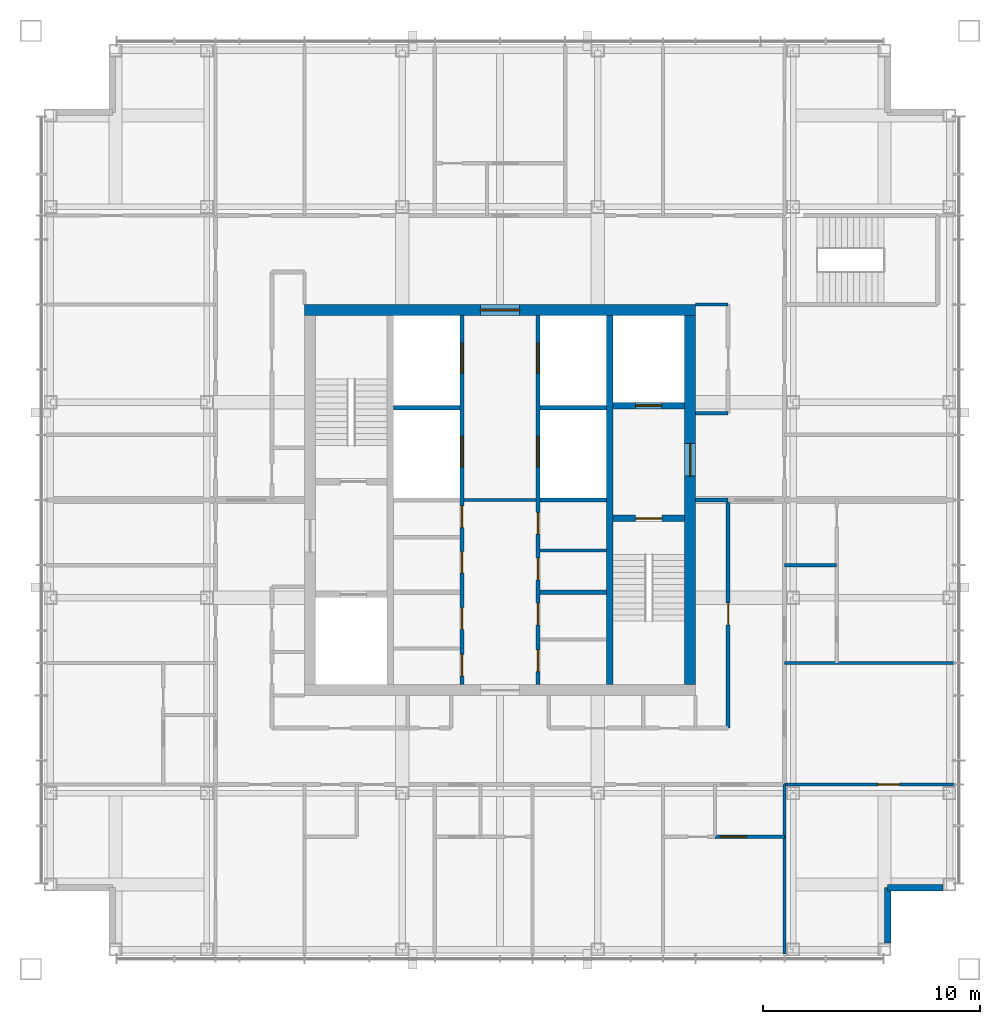
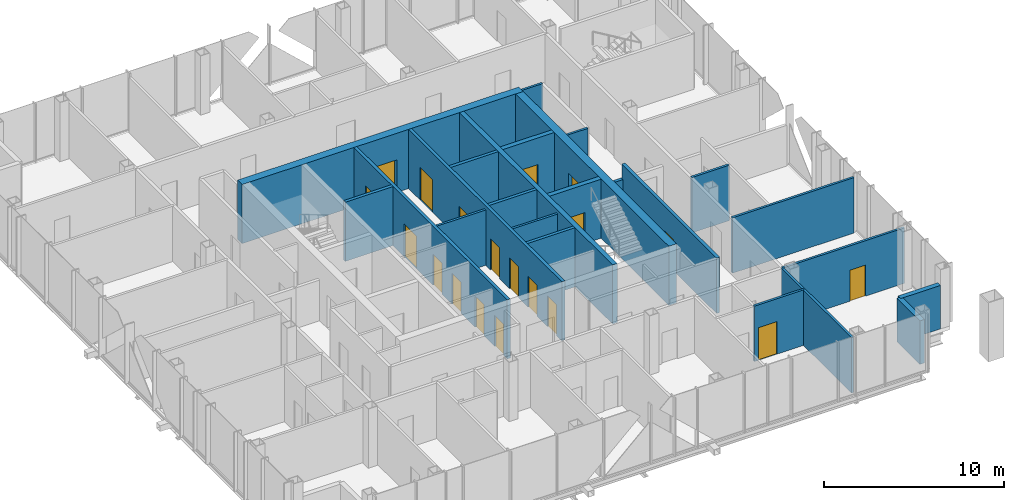
# One storey, part 9 of 12: 24 walls, 19 doors, 19 openings.
"""IFC4 building model written with IfcOpenShell, lengths in metres."""

from ifc_helpers import new_model, si_unit, direction, frame, frame_2d, origin, place, context, subcontext, project, spatial, rectangle, extrude, material, layer, layer_set, type_object, element, fill, save


model = new_model("IFC4")

# Units and contexts
model_context = context("Model", 3, precision=1e-05, world=origin(), true_north=direction((0.0, 1.0)))
body_context = subcontext(model_context, "Body", "Model", "MODEL_VIEW")
ifc_project = project(units=[si_unit("LENGTHUNIT", "METRE"), si_unit("AREAUNIT", "SQUARE_METRE"), si_unit("VOLUMEUNIT", "CUBIC_METRE"), si_unit("PLANEANGLEUNIT", "RADIAN"), si_unit("MASSUNIT", "GRAM", prefix="KILO")], contexts=[model_context])

# Site, building, storey
site_placement = place(None, origin())
site = spatial("IfcSite", under=ifc_project, at=site_placement, CompositionType="ELEMENT")
building_placement = place(site_placement, origin())
building = spatial("IfcBuilding", under=site, at=building_placement, Name="Malebo Sky Hospital", CompositionType="ELEMENT")
storey_placement = place(building_placement, frame((0.0, 0.0, 266.0)))
storey = spatial("IfcBuildingStorey", under=building, at=storey_placement, Name="L64", CompositionType="ELEMENT", Elevation=266.0)

# Wall, openings, doors
ifc_material_1 = material(Name="Concrete C80/95", Category="concrete")
ifc_layer_1 = layer(ifc_material_1, 0.199951171875)
ifc_layer_set_1 = layer_set([ifc_layer_1], Name="CORE INNER WALL 200")
wall_type_1 = type_object("IfcWallType", Name="CORE INNER WALL 200", PredefinedType="SHEAR", material=ifc_layer_set_1)
wall_1_placement = place(storey_placement, frame((58.25, 53.5, 0.0), z_axis=(0.0, 0.0, 1.0), x_axis=(0.0, 1.0, 0.0)))
wall_1 = element("IfcWall", 1, at=wall_1_placement, inside=storey, type_object=wall_type_1, Name="Core wall LW L64", PredefinedType="SHEAR", context=body_context, shape_type="SweptSolid", body=[
    extrude(rectangle(XDim=17.0, YDim=0.199951171875, at=frame_2d((8.5, 0.0))), origin(), (0.0, 0.0, 1.0), 4.0),
])
opening_1_placement = place(wall_1_placement, frame((0.392578125, 0.0, 0.0)))
opening_1 = element("IfcOpeningElement", 2, at=opening_1_placement, cuts=wall_1, Name="Opening D17", PredefinedType="OPENING", context=body_context, shape_type="SweptSolid", body=[
    extrude(rectangle(XDim=1.0, YDim=2.10009765625, at=frame_2d((0.5, 1.050048828125))), frame((0.0, 0.10986328125, 0.0), z_axis=(0.0, -1.0, 0.0), x_axis=(1.0, 0.0, 0.0)), (0.0, 0.0, 1.0), 0.219970703125),
])
opening_2_placement = place(wall_1_placement, frame((2.54248046875, 0.0, 0.0)))
opening_2 = element("IfcOpeningElement", 3, at=opening_2_placement, cuts=wall_1, Name="Opening D17", PredefinedType="OPENING", context=body_context, shape_type="SweptSolid", body=[
    extrude(rectangle(XDim=1.0, YDim=2.10009765625, at=frame_2d((0.5, 1.050048828125))), frame((0.0, 0.10986328125, 0.0), z_axis=(0.0, -1.0, 0.0), x_axis=(1.0, 0.0, 0.0)), (0.0, 0.0, 1.0), 0.219970703125),
])
opening_3_placement = place(wall_1_placement, frame((5.12744140625, 0.0, 0.0)))
opening_3 = element("IfcOpeningElement", 4, at=opening_3_placement, cuts=wall_1, Name="Opening D17", PredefinedType="OPENING", context=body_context, shape_type="SweptSolid", body=[
    extrude(rectangle(XDim=1.0, YDim=2.10009765625, at=frame_2d((0.5, 1.050048828125))), frame((0.0, 0.10986328125, 0.0), z_axis=(0.0, -1.0, 0.0), x_axis=(1.0, 0.0, 0.0)), (0.0, 0.0, 1.0), 0.219970703125),
])
opening_4_placement = place(wall_1_placement, frame((7.2275390625, 0.0, 0.0)))
opening_4 = element("IfcOpeningElement", 5, at=opening_4_placement, cuts=wall_1, Name="Opening D17", PredefinedType="OPENING", context=body_context, shape_type="SweptSolid", body=[
    extrude(rectangle(XDim=1.0, YDim=2.10009765625, at=frame_2d((0.5, 1.050048828125))), frame((0.0, 0.10986328125, 0.0), z_axis=(0.0, -1.0, 0.0), x_axis=(1.0, 0.0, 0.0)), (0.0, 0.0, 1.0), 0.219970703125),
])
opening_5_placement = place(wall_1_placement, frame((10.02490234375, 0.0, 0.0)))
opening_5 = element("IfcOpeningElement", 6, at=opening_5_placement, cuts=wall_1, Name="Opening LD1", PredefinedType="OPENING", context=body_context, shape_type="SweptSolid", body=[
    extrude(rectangle(XDim=1.39990234375, YDim=2.199951171875, at=frame_2d((0.699951171875, 1.10009765625))), frame((0.0, 0.10986328125, 0.0), z_axis=(0.0, -1.0, 0.0), x_axis=(1.0, 0.0, 0.0)), (0.0, 0.0, 1.0), 0.219970703125),
])
opening_6_placement = place(wall_1_placement, frame((14.324951171875, 0.0, 0.0)))
opening_6 = element("IfcOpeningElement", 7, at=opening_6_placement, cuts=wall_1, Name="Opening LD1", PredefinedType="OPENING", context=body_context, shape_type="SweptSolid", body=[
    extrude(rectangle(XDim=1.39990234375, YDim=2.199951171875, at=frame_2d((0.699951171875, 1.10009765625))), frame((0.0, 0.10986328125, 0.0), z_axis=(0.0, -1.0, 0.0), x_axis=(1.0, 0.0, 0.0)), (0.0, 0.0, 1.0), 0.219970703125),
])
ifc_material_2 = material(Name="Hardwood-faced door leaf in steel frame", Category="steel")
door_type_1 = type_object("IfcDoorType", Name="FIRE DOOR 1000", OperationType="SINGLE_SWING_LEFT", PredefinedType="DOOR", material=ifc_material_2)
door_1_placement = place(opening_1_placement, origin())
door_1 = element("IfcDoor", 8, at=door_1_placement, inside=storey, type_object=door_type_1, Name="General store door", OperationType="SINGLE_SWING_RIGHT", OverallHeight=2.10009765625, OverallWidth=1.0, PredefinedType="DOOR", context=body_context, shape_type="SweptSolid", body=[
    extrude(rectangle(XDim=1.0, YDim=2.10009765625, at=frame_2d((0.5, 1.050048828125))), frame((0.0, 0.02490234375, 0.0), z_axis=(0.0, -1.0, 0.0), x_axis=(1.0, 0.0, 0.0)), (0.0, 0.0, 1.0), 0.050048828125),
])
fill(opening_1, door_1)
door_2_placement = place(opening_2_placement, origin())
door_2 = element("IfcDoor", 9, at=door_2_placement, inside=storey, type_object=door_type_1, Name="Records store door", OperationType="SINGLE_SWING_RIGHT", OverallHeight=2.10009765625, OverallWidth=1.0, PredefinedType="DOOR", context=body_context, shape_type="SweptSolid", body=[
    extrude(rectangle(XDim=1.0, YDim=2.10009765625, at=frame_2d((0.5, 1.050048828125))), frame((0.0, 0.02490234375, 0.0), z_axis=(0.0, -1.0, 0.0), x_axis=(1.0, 0.0, 0.0)), (0.0, 0.0, 1.0), 0.050048828125),
])
fill(opening_2, door_2)
door_3_placement = place(opening_3_placement, origin())
door_3 = element("IfcDoor", 10, at=door_3_placement, inside=storey, type_object=door_type_1, Name="Equipment store door", OperationType="SINGLE_SWING_RIGHT", OverallHeight=2.10009765625, OverallWidth=1.0, PredefinedType="DOOR", context=body_context, shape_type="SweptSolid", body=[
    extrude(rectangle(XDim=1.0, YDim=2.10009765625, at=frame_2d((0.5, 1.050048828125))), frame((0.0, 0.02490234375, 0.0), z_axis=(0.0, -1.0, 0.0), x_axis=(1.0, 0.0, 0.0)), (0.0, 0.0, 1.0), 0.050048828125),
])
fill(opening_3, door_3)
door_4_placement = place(opening_4_placement, origin())
door_4 = element("IfcDoor", 11, at=door_4_placement, inside=storey, type_object=door_type_1, Name="Linen store door", OperationType="SINGLE_SWING_RIGHT", OverallHeight=2.10009765625, OverallWidth=1.0, PredefinedType="DOOR", context=body_context, shape_type="SweptSolid", body=[
    extrude(rectangle(XDim=1.0, YDim=2.10009765625, at=frame_2d((0.5, 1.050048828125))), frame((0.0, 0.02490234375, 0.0), z_axis=(0.0, -1.0, 0.0), x_axis=(1.0, 0.0, 0.0)), (0.0, 0.0, 1.0), 0.050048828125),
])
fill(opening_4, door_4)
ifc_material_3 = material(Name="Stainless steel sliding landing door", Category="steel")
door_type_2 = type_object("IfcDoorType", Name="LIFT LANDING DOOR 1400", OperationType="SLIDING_TO_LEFT", PredefinedType="DOOR", material=ifc_material_3)
door_5_placement = place(opening_5_placement, origin())
door_5 = element("IfcDoor", 12, at=door_5_placement, inside=storey, type_object=door_type_2, Name="Lift W3 landing door", OperationType="SLIDING_TO_LEFT", OverallHeight=2.199951171875, OverallWidth=1.39990234375, PredefinedType="DOOR", context=body_context, shape_type="SweptSolid", body=[
    extrude(rectangle(XDim=1.39990234375, YDim=2.199951171875, at=frame_2d((0.699951171875, 1.10009765625))), frame((0.0, 0.02490234375, 0.0), z_axis=(0.0, -1.0, 0.0), x_axis=(1.0, 0.0, 0.0)), (0.0, 0.0, 1.0), 0.050048828125),
])
fill(opening_5, door_5)
door_6_placement = place(opening_6_placement, origin())
door_6 = element("IfcDoor", 13, at=door_6_placement, inside=storey, type_object=door_type_2, Name="Lift W4 landing door", OperationType="SLIDING_TO_LEFT", OverallHeight=2.199951171875, OverallWidth=1.39990234375, PredefinedType="DOOR", context=body_context, shape_type="SweptSolid", body=[
    extrude(rectangle(XDim=1.39990234375, YDim=2.199951171875, at=frame_2d((0.699951171875, 1.10009765625))), frame((0.0, 0.02490234375, 0.0), z_axis=(0.0, -1.0, 0.0), x_axis=(1.0, 0.0, 0.0)), (0.0, 0.0, 1.0), 0.050048828125),
])
fill(opening_6, door_6)

wall_2_placement = place(storey_placement, frame((61.75, 53.5, 0.0), z_axis=(0.0, 0.0, 1.0), x_axis=(0.0, 1.0, 0.0)))
wall_2 = element("IfcWall", 14, at=wall_2_placement, inside=storey, type_object=wall_type_1, Name="Core wall LE L64", PredefinedType="SHEAR", context=body_context, shape_type="SweptSolid", body=[
    extrude(rectangle(XDim=17.0, YDim=0.199951171875, at=frame_2d((8.5, 0.0))), origin(), (0.0, 0.0, 1.0), 4.0),
])
opening_7_placement = place(wall_2_placement, frame((0.60009765625, 0.0, 0.0)))
opening_7 = element("IfcOpeningElement", 15, at=opening_7_placement, cuts=wall_2, Name="Opening D17", PredefinedType="OPENING", context=body_context, shape_type="SweptSolid", body=[
    extrude(rectangle(XDim=1.0, YDim=2.10009765625, at=frame_2d((0.5, 1.050048828125))), frame((0.0, 0.10986328125, 0.0), z_axis=(0.0, -1.0, 0.0), x_axis=(1.0, 0.0, 0.0)), (0.0, 0.0, 1.0), 0.219970703125),
])
opening_8_placement = place(wall_2_placement, frame((2.75, 0.0, 0.0)))
opening_8 = element("IfcOpeningElement", 16, at=opening_8_placement, cuts=wall_2, Name="Opening D17", PredefinedType="OPENING", context=body_context, shape_type="SweptSolid", body=[
    extrude(rectangle(XDim=1.0, YDim=2.10009765625, at=frame_2d((0.5, 1.050048828125))), frame((0.0, 0.10986328125, 0.0), z_axis=(0.0, -1.0, 0.0), x_axis=(1.0, 0.0, 0.0)), (0.0, 0.0, 1.0), 0.219970703125),
])
opening_9_placement = place(wall_2_placement, frame((4.823974609375, 0.0, 0.0)))
opening_9 = element("IfcOpeningElement", 17, at=opening_9_placement, cuts=wall_2, Name="Opening D17", PredefinedType="OPENING", context=body_context, shape_type="SweptSolid", body=[
    extrude(rectangle(XDim=1.0, YDim=2.10009765625, at=frame_2d((0.5, 1.050048828125))), frame((0.0, 0.10986328125, 0.0), z_axis=(0.0, -1.0, 0.0), x_axis=(1.0, 0.0, 0.0)), (0.0, 0.0, 1.0), 0.219970703125),
])
opening_10_placement = place(wall_2_placement, frame((6.924072265625, 0.0, 0.0)))
opening_10 = element("IfcOpeningElement", 18, at=opening_10_placement, cuts=wall_2, Name="Opening D17", PredefinedType="OPENING", context=body_context, shape_type="SweptSolid", body=[
    extrude(rectangle(XDim=1.0, YDim=2.10009765625, at=frame_2d((0.5, 1.050048828125))), frame((0.0, 0.10986328125, 0.0), z_axis=(0.0, -1.0, 0.0), x_axis=(1.0, 0.0, 0.0)), (0.0, 0.0, 1.0), 0.219970703125),
])
opening_11_placement = place(wall_2_placement, frame((10.02490234375, 0.0, 0.0)))
opening_11 = element("IfcOpeningElement", 19, at=opening_11_placement, cuts=wall_2, Name="Opening LD1", PredefinedType="OPENING", context=body_context, shape_type="SweptSolid", body=[
    extrude(rectangle(XDim=1.39990234375, YDim=2.199951171875, at=frame_2d((0.699951171875, 1.10009765625))), frame((0.0, 0.10986328125, 0.0), z_axis=(0.0, -1.0, 0.0), x_axis=(1.0, 0.0, 0.0)), (0.0, 0.0, 1.0), 0.219970703125),
])
opening_12_placement = place(wall_2_placement, frame((14.324951171875, 0.0, 0.0)))
opening_12 = element("IfcOpeningElement", 20, at=opening_12_placement, cuts=wall_2, Name="Opening LD1", PredefinedType="OPENING", context=body_context, shape_type="SweptSolid", body=[
    extrude(rectangle(XDim=1.39990234375, YDim=2.199951171875, at=frame_2d((0.699951171875, 1.10009765625))), frame((0.0, 0.10986328125, 0.0), z_axis=(0.0, -1.0, 0.0), x_axis=(1.0, 0.0, 0.0)), (0.0, 0.0, 1.0), 0.219970703125),
])
door_7_placement = place(opening_7_placement, origin())
door_7 = element("IfcDoor", 21, at=door_7_placement, inside=storey, type_object=door_type_1, Name="Supplies store door", OperationType="SINGLE_SWING_RIGHT", OverallHeight=2.10009765625, OverallWidth=1.0, PredefinedType="DOOR", context=body_context, shape_type="SweptSolid", body=[
    extrude(rectangle(XDim=1.0, YDim=2.10009765625, at=frame_2d((0.5, 1.050048828125))), frame((0.0, 0.02490234375, 0.0), z_axis=(0.0, -1.0, 0.0), x_axis=(1.0, 0.0, 0.0)), (0.0, 0.0, 1.0), 0.050048828125),
])
fill(opening_7, door_7)
door_8_placement = place(opening_8_placement, origin())
door_8 = element("IfcDoor", 22, at=door_8_placement, inside=storey, type_object=door_type_1, Name="Mattress store door", OperationType="SINGLE_SWING_RIGHT", OverallHeight=2.10009765625, OverallWidth=1.0, PredefinedType="DOOR", context=body_context, shape_type="SweptSolid", body=[
    extrude(rectangle(XDim=1.0, YDim=2.10009765625, at=frame_2d((0.5, 1.050048828125))), frame((0.0, 0.02490234375, 0.0), z_axis=(0.0, -1.0, 0.0), x_axis=(1.0, 0.0, 0.0)), (0.0, 0.0, 1.0), 0.050048828125),
])
fill(opening_8, door_8)
door_9_placement = place(opening_9_placement, origin())
door_9 = element("IfcDoor", 23, at=door_9_placement, inside=storey, type_object=door_type_1, Name="Cleaning equipment store door", OperationType="SINGLE_SWING_RIGHT", OverallHeight=2.10009765625, OverallWidth=1.0, PredefinedType="DOOR", context=body_context, shape_type="SweptSolid", body=[
    extrude(rectangle(XDim=1.0, YDim=2.10009765625, at=frame_2d((0.5, 1.050048828125))), frame((0.0, 0.02490234375, 0.0), z_axis=(0.0, -1.0, 0.0), x_axis=(1.0, 0.0, 0.0)), (0.0, 0.0, 1.0), 0.050048828125),
])
fill(opening_9, door_9)
door_10_placement = place(opening_10_placement, origin())
door_10 = element("IfcDoor", 24, at=door_10_placement, inside=storey, type_object=door_type_1, Name="Archive store door", OperationType="SINGLE_SWING_RIGHT", OverallHeight=2.10009765625, OverallWidth=1.0, PredefinedType="DOOR", context=body_context, shape_type="SweptSolid", body=[
    extrude(rectangle(XDim=1.0, YDim=2.10009765625, at=frame_2d((0.5, 1.050048828125))), frame((0.0, 0.02490234375, 0.0), z_axis=(0.0, -1.0, 0.0), x_axis=(1.0, 0.0, 0.0)), (0.0, 0.0, 1.0), 0.050048828125),
])
fill(opening_10, door_10)
door_11_placement = place(opening_11_placement, origin())
door_11 = element("IfcDoor", 25, at=door_11_placement, inside=storey, type_object=door_type_2, Name="Lift E3 landing door", OperationType="SLIDING_TO_LEFT", OverallHeight=2.199951171875, OverallWidth=1.39990234375, PredefinedType="DOOR", context=body_context, shape_type="SweptSolid", body=[
    extrude(rectangle(XDim=1.39990234375, YDim=2.199951171875, at=frame_2d((0.699951171875, 1.10009765625))), frame((0.0, 0.02490234375, 0.0), z_axis=(0.0, -1.0, 0.0), x_axis=(1.0, 0.0, 0.0)), (0.0, 0.0, 1.0), 0.050048828125),
])
fill(opening_11, door_11)
door_12_placement = place(opening_12_placement, origin())
door_12 = element("IfcDoor", 26, at=door_12_placement, inside=storey, type_object=door_type_2, Name="Lift E4 landing door", OperationType="SLIDING_TO_LEFT", OverallHeight=2.199951171875, OverallWidth=1.39990234375, PredefinedType="DOOR", context=body_context, shape_type="SweptSolid", body=[
    extrude(rectangle(XDim=1.39990234375, YDim=2.199951171875, at=frame_2d((0.699951171875, 1.10009765625))), frame((0.0, 0.02490234375, 0.0), z_axis=(0.0, -1.0, 0.0), x_axis=(1.0, 0.0, 0.0)), (0.0, 0.0, 1.0), 0.050048828125),
])
fill(opening_12, door_12)

# Walls
for number, where, z_axis, x_axis, name in (
    (27, (61.85009765625, 57.75, 0.0), (0.0, 0.0, 1.0), (1.0, 0.0, 0.0), "Core wall SE0 L64"),
    (28, (61.85009765625, 62.0, 0.0), (0.0, 0.0, 1.0), (1.0, 0.0, 0.0), "Core wall SE1 L64"),
    (29, (55.10009765625, 66.25, 0.0), (0.0, 0.0, 1.0), (1.0, 0.0, 0.0), "Core wall SW2 L64"),
    (30, (61.85009765625, 66.25, 0.0), (0.0, 0.0, 1.0), (1.0, 0.0, 0.0), "Core wall SE2 L64"),
):
    element("IfcWall", number, at=place(storey_placement, frame(where, z_axis=z_axis, x_axis=x_axis)), inside=storey, type_object=wall_type_1, Name=name, PredefinedType="SHEAR", context=body_context, shape_type="SweptSolid", body=[
        extrude(rectangle(XDim=3.0498046875, YDim=0.199951171875, at=frame_2d((1.52490234375, 0.0))), origin(), (0.0, 0.0, 1.0), 4.0),
    ])
ifc_layer_2 = layer(ifc_material_1, 0.300048828125)
ifc_layer_set_2 = layer_set([ifc_layer_2], Name="CORE INNER WALL 300")
wall_type_2 = type_object("IfcWallType", Name="CORE INNER WALL 300", PredefinedType="SHEAR", material=ifc_layer_set_2)
wall_3_placement = place(storey_placement, frame((65.050048828125, 53.5, 0.0), z_axis=(0.0, 0.0, 1.0), x_axis=(0.0, 1.0, 0.0)))
element("IfcWall", 31, at=wall_3_placement, inside=storey, type_object=wall_type_2, Name="Core wall XE L64", PredefinedType="SHEAR", context=body_context, shape_type="SweptSolid", body=[
    extrude(rectangle(XDim=17.0, YDim=0.300048828125, at=frame_2d((8.5, 0.0))), origin(), (0.0, 0.0, 1.0), 4.0),
])

# Wall, opening, door
wall_4_placement = place(storey_placement, frame((65.199951171875, 61.14990234375, 0.0), z_axis=(0.0, 0.0, 1.0), x_axis=(1.0, 0.0, 0.0)))
wall_4 = element("IfcWall", 32, at=wall_4_placement, inside=storey, type_object=wall_type_2, Name="Core wall E1 L64", PredefinedType="SHEAR", context=body_context, shape_type="SweptSolid", body=[
    extrude(rectangle(XDim=3.300048828125, YDim=0.300048828125, at=frame_2d((1.64990234375, 0.0))), origin(), (0.0, 0.0, 1.0), 4.0),
])
opening_13_placement = place(wall_4_placement, frame((1.050048828125, 0.0, 0.0)))
opening_13 = element("IfcOpeningElement", 33, at=opening_13_placement, cuts=wall_4, Name="Opening D08", PredefinedType="OPENING", context=body_context, shape_type="SweptSolid", body=[
    extrude(rectangle(XDim=1.199951171875, YDim=2.10009765625, at=frame_2d((0.60009765625, 1.050048828125))), frame((0.0, 0.159912109375, 0.0), z_axis=(0.0, -1.0, 0.0), x_axis=(1.0, 0.0, 0.0)), (0.0, 0.0, 1.0), 0.320068359375),
])
door_type_3 = type_object("IfcDoorType", Name="STAIR DOOR 1200", OperationType="SINGLE_SWING_LEFT", PredefinedType="DOOR", material=ifc_material_2)
door_13_placement = place(opening_13_placement, origin())
door_13 = element("IfcDoor", 34, at=door_13_placement, inside=storey, type_object=door_type_3, Name="Stair S2 door", OperationType="SINGLE_SWING_LEFT", OverallHeight=2.10009765625, OverallWidth=1.199951171875, PredefinedType="DOOR", context=body_context, shape_type="SweptSolid", body=[
    extrude(rectangle(XDim=1.199951171875, YDim=2.10009765625, at=frame_2d((0.60009765625, 1.050048828125))), frame((0.0, 0.02490234375, 0.0), z_axis=(0.0, -1.0, 0.0), x_axis=(1.0, 0.0, 0.0)), (0.0, 0.0, 1.0), 0.050048828125),
])
fill(opening_13, door_13)

wall_5_placement = place(storey_placement, frame((65.199951171875, 66.35009765625, 0.0), z_axis=(0.0, 0.0, 1.0), x_axis=(1.0, 0.0, 0.0)))
wall_5 = element("IfcWall", 35, at=wall_5_placement, inside=storey, type_object=wall_type_2, Name="Core wall E2 L64", PredefinedType="SHEAR", context=body_context, shape_type="SweptSolid", body=[
    extrude(rectangle(XDim=3.300048828125, YDim=0.300048828125, at=frame_2d((1.64990234375, 0.0))), origin(), (0.0, 0.0, 1.0), 4.0),
])
opening_14_placement = place(wall_5_placement, frame((1.050048828125, 0.0, 0.0)))
opening_14 = element("IfcOpeningElement", 36, at=opening_14_placement, cuts=wall_5, Name="Opening LD2", PredefinedType="OPENING", context=body_context, shape_type="SweptSolid", body=[
    extrude(rectangle(XDim=1.199951171875, YDim=2.199951171875, at=frame_2d((0.60009765625, 1.10009765625))), frame((0.0, 0.159912109375, 0.0), z_axis=(0.0, -1.0, 0.0), x_axis=(1.0, 0.0, 0.0)), (0.0, 0.0, 1.0), 0.320068359375),
])
door_type_4 = type_object("IfcDoorType", Name="FIRE-FIGHTING LIFT LANDING DOOR 1200", OperationType="SLIDING_TO_LEFT", PredefinedType="DOOR", material=ifc_material_3)
door_14_placement = place(opening_14_placement, origin())
door_14 = element("IfcDoor", 37, at=door_14_placement, inside=storey, type_object=door_type_4, Name="Lift FL2 landing door", OperationType="SLIDING_TO_LEFT", OverallHeight=2.199951171875, OverallWidth=1.199951171875, PredefinedType="DOOR", context=body_context, shape_type="SweptSolid", body=[
    extrude(rectangle(XDim=1.199951171875, YDim=2.199951171875, at=frame_2d((0.60009765625, 1.10009765625))), frame((0.0, 0.02490234375, 0.0), z_axis=(0.0, -1.0, 0.0), x_axis=(1.0, 0.0, 0.0)), (0.0, 0.0, 1.0), 0.050048828125),
])
fill(opening_14, door_14)

ifc_layer_3 = layer(ifc_material_1, 0.5)
ifc_layer_set_3 = layer_set([ifc_layer_3], Name="CORE WALL 500")
wall_type_3 = type_object("IfcWallType", Name="CORE WALL 500", PredefinedType="SHEAR", material=ifc_layer_set_3)
wall_6_placement = place(storey_placement, frame((51.0, 70.75, 0.0), z_axis=(0.0, 0.0, 1.0), x_axis=(1.0, 0.0, 0.0)))
wall_6 = element("IfcWall", 38, at=wall_6_placement, inside=storey, type_object=wall_type_3, Name="Core wall N L64", PredefinedType="SHEAR", context=body_context, shape_type="SweptSolid", body=[
    extrude(rectangle(XDim=18.0, YDim=0.5, at=frame_2d((9.0, 0.0))), origin(), (0.0, 0.0, 1.0), 4.0),
])
opening_15_placement = place(wall_6_placement, frame((8.10009765625, 0.0, 0.0)))
opening_15 = element("IfcOpeningElement", 39, at=opening_15_placement, cuts=wall_6, Name="Opening D06", PredefinedType="OPENING", context=body_context, shape_type="SweptSolid", body=[
    extrude(rectangle(XDim=1.800048828125, YDim=2.199951171875, at=frame_2d((0.89990234375, 1.10009765625))), frame((0.0, 0.260009765625, 0.0), z_axis=(0.0, -1.0, 0.0), x_axis=(1.0, 0.0, 0.0)), (0.0, 0.0, 1.0), 0.52001953125),
])
door_type_5 = type_object("IfcDoorType", Name="LOBBY DOOR PAIR 1800", OperationType="DOUBLE_DOOR_SINGLE_SWING", PredefinedType="DOOR", material=ifc_material_2)
door_15_placement = place(opening_15_placement, origin())
door_15 = element("IfcDoor", 40, at=door_15_placement, inside=storey, type_object=door_type_5, Name="Lift lobby door north", OperationType="DOUBLE_DOOR_SINGLE_SWING", OverallHeight=2.199951171875, OverallWidth=1.800048828125, PredefinedType="DOOR", context=body_context, shape_type="SweptSolid", body=[
    extrude(rectangle(XDim=1.800048828125, YDim=2.199951171875, at=frame_2d((0.89990234375, 1.10009765625))), frame((0.0, 0.02490234375, 0.0), z_axis=(0.0, -1.0, 0.0), x_axis=(1.0, 0.0, 0.0)), (0.0, 0.0, 1.0), 0.050048828125),
])
fill(opening_15, door_15)

wall_7_placement = place(storey_placement, frame((68.75, 53.5, 0.0), z_axis=(0.0, 0.0, 1.0), x_axis=(0.0, 1.0, 0.0)))
wall_7 = element("IfcWall", 41, at=wall_7_placement, inside=storey, type_object=wall_type_3, Name="Core wall E L64", PredefinedType="SHEAR", context=body_context, shape_type="SweptSolid", body=[
    extrude(rectangle(XDim=17.0, YDim=0.5, at=frame_2d((8.5, 0.0))), origin(), (0.0, 0.0, 1.0), 4.0),
])
opening_16_placement = place(wall_7_placement, frame((9.60009765625, 0.0, 0.0)))
opening_16 = element("IfcOpeningElement", 42, at=opening_16_placement, cuts=wall_7, Name="Opening D07", PredefinedType="OPENING", context=body_context, shape_type="SweptSolid", body=[
    extrude(rectangle(XDim=1.5, YDim=2.199951171875, at=frame_2d((0.75, 1.10009765625))), frame((0.0, 0.260009765625, 0.0), z_axis=(0.0, -1.0, 0.0), x_axis=(1.0, 0.0, 0.0)), (0.0, 0.0, 1.0), 0.52001953125),
])
door_type_6 = type_object("IfcDoorType", Name="FIRE-FIGHTING LOBBY DOOR PAIR 1500", OperationType="DOUBLE_DOOR_SINGLE_SWING", PredefinedType="DOOR", material=ifc_material_2)
door_16_placement = place(opening_16_placement, origin())
door_16 = element("IfcDoor", 43, at=door_16_placement, inside=storey, type_object=door_type_6, Name="Fire-fighting lobby door east", OperationType="DOUBLE_DOOR_SINGLE_SWING", OverallHeight=2.199951171875, OverallWidth=1.5, PredefinedType="DOOR", context=body_context, shape_type="SweptSolid", body=[
    extrude(rectangle(XDim=1.5, YDim=2.199951171875, at=frame_2d((0.75, 1.10009765625))), frame((0.0, 0.02490234375, 0.0), z_axis=(0.0, -1.0, 0.0), x_axis=(1.0, 0.0, 0.0)), (0.0, 0.0, 1.0), 0.050048828125),
])
fill(opening_16, door_16)

ifc_material_4 = material(Name="Gypsum board on steel studs", Category="steel")
ifc_layer_4 = layer(ifc_material_4, 0.199951171875)
ifc_layer_set_4 = layer_set([ifc_layer_4], Name="CORRIDOR WALL 200")
wall_type_4 = type_object("IfcWallType", Name="CORRIDOR WALL 200", PredefinedType="PARTITIONING", material=ifc_layer_set_4)
wall_8_placement = place(storey_placement, frame((70.5, 62.0, 0.0), z_axis=(0.0, 0.0, 1.0), x_axis=(0.0, -1.0, 0.0)))
wall_8 = element("IfcWall", 44, at=wall_8_placement, inside=storey, type_object=wall_type_4, Name="Corridor Wall 200 ECI2", PredefinedType="PARTITIONING", context=body_context, shape_type="SweptSolid", body=[
    extrude(rectangle(XDim=10.5, YDim=0.199951171875, at=frame_2d((5.25, 0.0))), origin(), (0.0, 0.0, 1.0), 3.75),
])
opening_17_placement = place(wall_8_placement, frame((4.75, 0.0, 0.0)))
opening_17 = element("IfcOpeningElement", 45, at=opening_17_placement, cuts=wall_8, Name="Opening D03", PredefinedType="OPENING", context=body_context, shape_type="SweptSolid", body=[
    extrude(rectangle(XDim=1.0, YDim=2.10009765625, at=frame_2d((0.5, 1.050048828125))), frame((0.0, 0.10986328125, 0.0), z_axis=(0.0, -1.0, 0.0), x_axis=(1.0, 0.0, 0.0)), (0.0, 0.0, 1.0), 0.219970703125),
])
door_type_7 = type_object("IfcDoorType", Name="ROOM DOOR 1000", OperationType="SINGLE_SWING_LEFT", PredefinedType="DOOR", material=ifc_material_2)
door_17_placement = place(opening_17_placement, origin())
door_17 = element("IfcDoor", 46, at=door_17_placement, inside=storey, type_object=door_type_7, Name="Mobile equipment store door", OperationType="SINGLE_SWING_LEFT", OverallHeight=2.10009765625, OverallWidth=1.0, PredefinedType="DOOR", context=body_context, shape_type="SweptSolid", body=[
    extrude(rectangle(XDim=1.0, YDim=2.10009765625, at=frame_2d((0.5, 1.050048828125))), frame((0.0, 0.02490234375, 0.0), z_axis=(0.0, -1.0, 0.0), x_axis=(1.0, 0.0, 0.0)), (0.0, 0.0, 1.0), 0.050048828125),
])
fill(opening_17, door_17)

# Walls
ifc_material_5 = material(Name="Anodised aluminium rainscreen on steel framing", Category="steel")
ifc_layer_5 = layer(ifc_material_5, 0.300048828125)
ifc_layer_set_5 = layer_set([ifc_layer_5], Name="NOTCH RAINSCREEN WALL 300")
wall_type_5 = type_object("IfcWallType", Name="NOTCH RAINSCREEN WALL 300", PredefinedType="ELEMENTEDWALL", material=ifc_layer_set_5)
for number, where, z_axis, x_axis, name in (
    (47, (80.39990234375, 44.14990234375, 0.0), (0.0, 0.0, 1.0), (-1.0, 0.0, 0.0), "Notch rainscreen wall E1 L64"),
    (48, (77.85009765625, 44.14990234375, 0.0), (0.0, 0.0, 1.0), (0.0, -1.0, 0.0), "Notch rainscreen wall E2 L64"),
):
    element("IfcWall", number, at=place(storey_placement, frame(where, z_axis=z_axis, x_axis=x_axis)), inside=storey, type_object=wall_type_5, Name=name, PredefinedType="ELEMENTEDWALL", context=body_context, shape_type="SweptSolid", body=[
        extrude(rectangle(XDim=2.5498046875, YDim=0.300048828125, at=frame_2d((1.27490234375, 0.0))), origin(), (0.0, 0.0, 1.0), 2.949951171875),
    ])
ifc_layer_6 = layer(ifc_material_4, 0.14990234375)
ifc_layer_set_6 = layer_set([ifc_layer_6], Name="PARTITION 150")
wall_type_6 = type_object("IfcWallType", Name="PARTITION 150", PredefinedType="PARTITIONING", material=ifc_layer_set_6)
for number, where, z_axis, x_axis, name in (
    (49, (73.10009765625, 48.89990234375, 0.0), (0.0, 0.0, 1.0), (0.0, -1.0, 0.0), "Partition 150 SP0"),
    (50, (73.10009765625, 54.5, 0.0), (0.0, 0.0, 1.0), (1.0, 0.0, 0.0), "Partition 150 EP+7.5"),
):
    element("IfcWall", number, at=place(storey_placement, frame(where, z_axis=z_axis, x_axis=x_axis)), inside=storey, type_object=wall_type_6, Name=name, PredefinedType="PARTITIONING", context=body_context, shape_type="SweptSolid", body=[
        extrude(rectangle(XDim=7.7998046875, YDim=0.14990234375, at=frame_2d((3.89990234375, 0.0))), origin(), (0.0, 0.0, 1.0), 3.75),
    ])
wall_9_placement = place(storey_placement, frame((73.10009765625, 59.0, 0.0), z_axis=(0.0, 0.0, 1.0), x_axis=(1.0, 0.0, 0.0)))
element("IfcWall", 51, at=wall_9_placement, inside=storey, type_object=wall_type_6, Name="Partition 150 EE3S", PredefinedType="PARTITIONING", context=body_context, shape_type="SweptSolid", body=[
    extrude(rectangle(XDim=2.39990234375, YDim=0.14990234375, at=frame_2d((1.199951171875, 0.0))), origin(), (0.0, 0.0, 1.0), 3.75),
])

# Wall, opening, door
wall_10_placement = place(storey_placement, frame((73.10009765625, 48.89990234375, 0.0), z_axis=(0.0, 0.0, 1.0), x_axis=(1.0, 0.0, 0.0)))
wall_10 = element("IfcWall", 52, at=wall_10_placement, inside=storey, type_object=wall_type_6, Name="Partition 150 EK", PredefinedType="PARTITIONING", context=body_context, shape_type="SweptSolid", body=[
    extrude(rectangle(XDim=7.7998046875, YDim=0.14990234375, at=frame_2d((3.89990234375, 0.0))), origin(), (0.0, 0.0, 1.0), 3.75),
])
opening_18_placement = place(wall_10_placement, frame((4.300048828125, 0.0, 0.0)))
opening_18 = element("IfcOpeningElement", 53, at=opening_18_placement, cuts=wall_10, Name="Opening D03", PredefinedType="OPENING", context=body_context, shape_type="SweptSolid", body=[
    extrude(rectangle(XDim=1.0, YDim=2.10009765625, at=frame_2d((0.5, 1.050048828125))), frame((0.0, 0.0849609375, 0.0), z_axis=(0.0, -1.0, 0.0), x_axis=(1.0, 0.0, 0.0)), (0.0, 0.0, 1.0), 0.169921875),
])
door_18_placement = place(opening_18_placement, origin())
door_18 = element("IfcDoor", 54, at=door_18_placement, inside=storey, type_object=door_type_7, Name="Servery door", OperationType="SINGLE_SWING_RIGHT", OverallHeight=2.10009765625, OverallWidth=1.0, PredefinedType="DOOR", context=body_context, shape_type="SweptSolid", body=[
    extrude(rectangle(XDim=1.0, YDim=2.10009765625, at=frame_2d((0.5, 1.050048828125))), frame((0.0, 0.02490234375, 0.0), z_axis=(0.0, -1.0, 0.0), x_axis=(1.0, 0.0, 0.0)), (0.0, 0.0, 1.0), 0.050048828125),
])
fill(opening_18, door_18)

# Walls
for number, where, z_axis, x_axis, name in (
    (55, (69.0, 71.0, 0.0), (0.0, 0.0, 1.0), (1.0, 0.0, 0.0), "Partition 150 ESP0"),
    (56, (69.0, 66.0, 0.0), (0.0, 0.0, 1.0), (1.0, 0.0, 0.0), "Partition 150 ESPA"),
):
    element("IfcWall", number, at=place(storey_placement, frame(where, z_axis=z_axis, x_axis=x_axis)), inside=storey, type_object=wall_type_6, Name=name, PredefinedType="PARTITIONING", context=body_context, shape_type="SweptSolid", body=[
        extrude(rectangle(XDim=1.5, YDim=0.14990234375, at=frame_2d((0.75, 0.0))), origin(), (0.0, 0.0, 1.0), 3.75),
    ])
wall_11_placement = place(storey_placement, frame((61.85009765625, 59.673095703125, 0.0), z_axis=(0.0, 0.0, 1.0), x_axis=(1.0, 0.0, 0.0)))
element("IfcWall", 57, at=wall_11_placement, inside=storey, type_object=wall_type_6, Name="Partition 150 SHE2", PredefinedType="PARTITIONING", context=body_context, shape_type="SweptSolid", body=[
    extrude(rectangle(XDim=3.0498046875, YDim=0.14990234375, at=frame_2d((1.52490234375, 0.0))), origin(), (0.0, 0.0, 1.0), 3.75),
])
wall_12_placement = place(storey_placement, frame((58.35009765625, 62.0, 0.0), z_axis=(0.0, 0.0, 1.0), x_axis=(1.0, 0.0, 0.0)))
element("IfcWall", 58, at=wall_12_placement, inside=storey, type_object=wall_type_6, Name="Partition 150 LBS", PredefinedType="PARTITIONING", context=body_context, shape_type="SweptSolid", body=[
    extrude(rectangle(XDim=3.2998046875, YDim=0.14990234375, at=frame_2d((1.64990234375, 0.0))), origin(), (0.0, 0.0, 1.0), 3.75),
])

# Wall, opening, door
ifc_material_6 = material(Name="Sealed gypsum board on steel studs, taped to the slab", Category="steel")
ifc_layer_7 = layer(ifc_material_6, 0.14990234375)
ifc_layer_set_7 = layer_set([ifc_layer_7], Name="SEALED ISOLATION PARTITION 150")
wall_type_7 = type_object("IfcWallType", Name="SEALED ISOLATION PARTITION 150", PredefinedType="PARTITIONING", material=ifc_layer_set_7)
wall_13_placement = place(storey_placement, frame((73.10009765625, 46.5, 0.0), z_axis=(0.0, 0.0, 1.0), x_axis=(-1.0, 0.0, 0.0)))
wall_13 = element("IfcWall", 59, at=wall_13_placement, inside=storey, type_object=wall_type_7, Name="Sealed Isolation Partition 150 SA0F", PredefinedType="PARTITIONING", context=body_context, shape_type="SweptSolid", body=[
    extrude(rectangle(XDim=3.2001953125, YDim=0.14990234375, at=frame_2d((1.60009765625, 0.0))), origin(), (0.0, 0.0, 1.0), 3.75),
])
opening_19_placement = place(wall_13_placement, frame((1.75, 0.0, 0.0)))
opening_19 = element("IfcOpeningElement", 60, at=opening_19_placement, cuts=wall_13, Name="Opening D19", PredefinedType="OPENING", context=body_context, shape_type="SweptSolid", body=[
    extrude(rectangle(XDim=1.199951171875, YDim=2.199951171875, at=frame_2d((0.60009765625, 1.10009765625))), frame((0.0, 0.0849609375, 0.0), z_axis=(0.0, -1.0, 0.0), x_axis=(1.0, 0.0, 0.0)), (0.0, 0.0, 1.0), 0.169921875),
])
ifc_material_7 = material(Name="Hardwood-faced door leaf with perimeter seals in steel frame", Category="steel")
door_type_8 = type_object("IfcDoorType", Name="SEALED ISOLATION ROOM DOOR 1200", OperationType="SINGLE_SWING_LEFT", PredefinedType="DOOR", material=ifc_material_7)
door_19_placement = place(opening_19_placement, origin())
door_19 = element("IfcDoor", 61, at=door_19_placement, inside=storey, type_object=door_type_8, Name="Isolation room door", OperationType="SINGLE_SWING_RIGHT", OverallHeight=2.199951171875, OverallWidth=1.199951171875, PredefinedType="DOOR", context=body_context, shape_type="SweptSolid", body=[
    extrude(rectangle(XDim=1.199951171875, YDim=2.199951171875, at=frame_2d((0.60009765625, 1.10009765625))), frame((0.0, 0.02490234375, 0.0), z_axis=(0.0, -1.0, 0.0), x_axis=(1.0, 0.0, 0.0)), (0.0, 0.0, 1.0), 0.050048828125),
])
fill(opening_19, door_19)

# Wall
ifc_material_8 = material(Name="Concrete blockwork", Category="masonry")
ifc_layer_8 = layer(ifc_material_8, 0.199951171875)
ifc_layer_set_8 = layer_set([ifc_layer_8], Name="SMOKE BARRIER WALL 200")
wall_type_8 = type_object("IfcWallType", Name="SMOKE BARRIER WALL 200", PredefinedType="SOLIDWALL", material=ifc_layer_set_8)
wall_14_placement = place(storey_placement, frame((69.0, 62.0, 0.0), z_axis=(0.0, 0.0, 1.0), x_axis=(1.0, 0.0, 0.0)))
element("IfcWall", 62, at=wall_14_placement, inside=storey, type_object=wall_type_8, Name="Smoke Barrier Wall 200 ESPB", PredefinedType="SOLIDWALL", context=body_context, shape_type="SweptSolid", body=[
    extrude(rectangle(XDim=1.5, YDim=0.199951171875, at=frame_2d((0.75, 0.0))), origin(), (0.0, 0.0, 1.0), 2.75),
])

save(model, "model.ifc")
